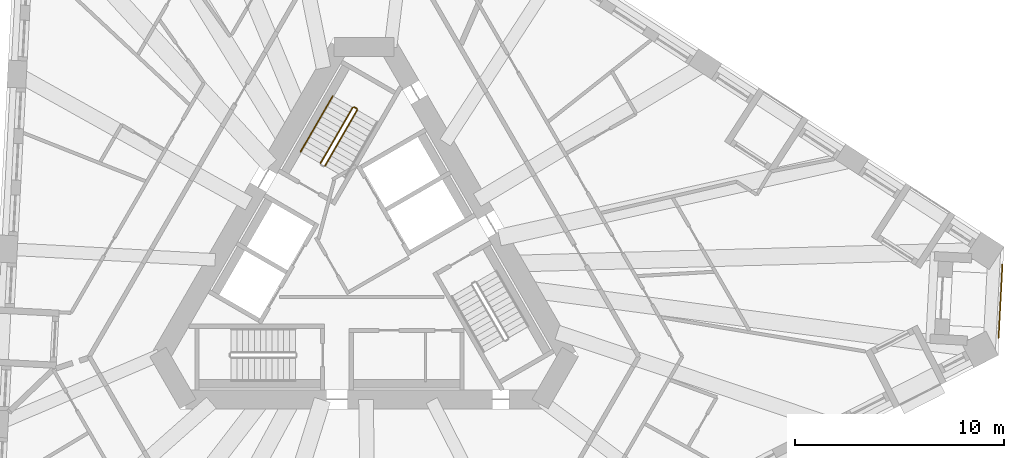
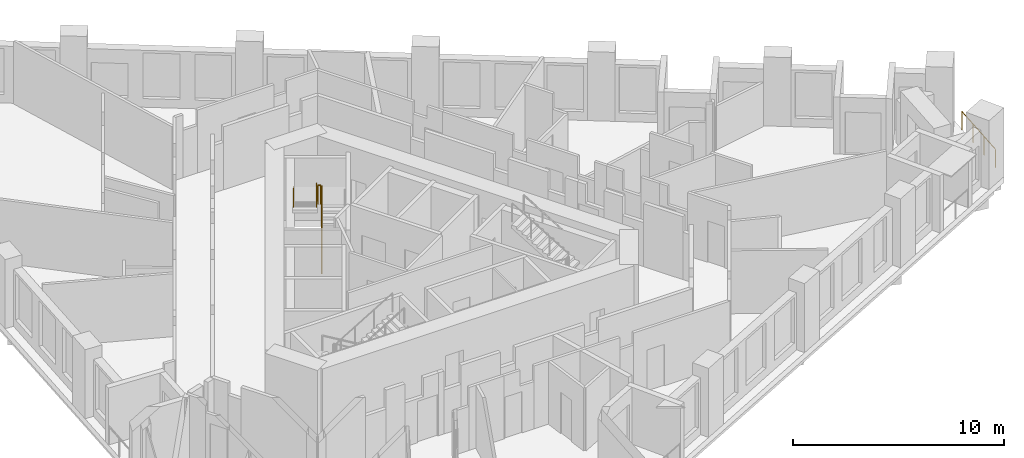
# One storey, part 12 of 13: 5 railings.
"""IFC4 building model written with IfcOpenShell, lengths in metres."""

from ifc_helpers import new_model, si_unit, direction, frame, origin, origin_2d, place, context, subcontext, project, spatial, circle, extrude, material, type_object, element, save


model = new_model("IFC4")

# Units and contexts
model_context = context("Model", 3, precision=1e-05, world=origin(), true_north=direction((0.0, 1.0)))
body_context = subcontext(model_context, "Body", "Model", "MODEL_VIEW")
ifc_project = project(units=[si_unit("LENGTHUNIT", "METRE"), si_unit("AREAUNIT", "SQUARE_METRE"), si_unit("VOLUMEUNIT", "CUBIC_METRE"), si_unit("PLANEANGLEUNIT", "RADIAN"), si_unit("MASSUNIT", "GRAM", prefix="KILO")], contexts=[model_context])

# Site, building, storey
site_placement = place(None, origin())
site = spatial("IfcSite", under=ifc_project, at=site_placement, CompositionType="ELEMENT")
building_placement = place(site_placement, origin())
building = spatial("IfcBuilding", under=site, at=building_placement, Name="Tramontana Tower", CompositionType="ELEMENT")
storey_placement = place(building_placement, frame((0.0, 0.0, 141.60009765625)))
storey = spatial("IfcBuildingStorey", under=building, at=storey_placement, Name="L32", CompositionType="ELEMENT", Elevation=141.60009765625)

# Railings
ifc_material_1 = material(Name="Laminated glass balustrade", Category="glass")
railing_type_1 = type_object("IfcRailingType", Name="GD1 Loggia glass balustrade 1100", PredefinedType="BALUSTRADE", material=ifc_material_1)
railing_1_placement = place(storey_placement, frame((30.519775390625, 0.15283203125, 0.0)))
element("IfcRailing", 1, at=railing_1_placement, inside=storey, type_object=railing_type_1, Name="Corner loggia balustrade L32 K32", PredefinedType="BALUSTRADE", context=body_context, shape_type="SweptSolid", body=[
    extrude(circle(Radius=0.02392578125, at=origin_2d()), frame((0.0, 0.0, 1.076171875), z_axis=(-0.052317189757, -0.998630518088, 0.0), x_axis=(0.998630518088, -0.052317189757, 0.0)), (0.0, 0.0, 1.0), 3.5),
    extrude(circle(Radius=0.02099609375, at=origin_2d()), origin(), (0.0, 0.0, 1.0), 1.052001953125),
    extrude(circle(Radius=0.02099609375, at=origin_2d()), frame((-0.06103515625, -1.1650390625, 0.0)), (0.0, 0.0, 1.0), 1.052001953125),
    extrude(circle(Radius=0.02099609375, at=origin_2d()), frame((-0.1220703125, -2.330078125, 0.0)), (0.0, 0.0, 1.0), 1.052001953125),
    extrude(circle(Radius=0.02099609375, at=origin_2d()), frame((-0.18310546875, -3.4951171875, 0.0)), (0.0, 0.0, 1.0), 1.052001953125),
])
ifc_material_2 = material(Name="Painted steel", Category="steel")
railing_type_2 = type_object("IfcRailingType", Name="STAIR GUARD 1100", PredefinedType="GUARDRAIL", material=ifc_material_2)
railing_2_placement = place(storey_placement, frame((-1.867431640625, 4.865478515625, 0.16650390625)))
element("IfcRailing", 2, at=railing_2_placement, inside=storey, type_object=railing_type_2, Name="L32 ST1 stair guard 1", PredefinedType="GUARDRAIL", context=body_context, shape_type="SweptSolid", body=[
    extrude(circle(Radius=0.02392578125, at=origin_2d()), frame((0.0, 0.0, 1.076171875), z_axis=(0.429634447492, 0.7441639146, 0.511502013422), x_axis=(-0.866029832698, 0.499992328818, 0.0)), (0.0, 0.0, 1.0), 3.58447265625),
    extrude(circle(Radius=0.02099609375, at=origin_2d()), origin(), (0.0, 0.0, 1.0), 1.052001953125),
    extrude(circle(Radius=0.02099609375, at=origin_2d()), frame((0.513427734375, 0.88916015625, 0.611083984375)), (0.0, 0.0, 1.0), 1.052001953125),
    extrude(circle(Radius=0.02099609375, at=origin_2d()), frame((1.026611328125, 1.7783203125, 1.222412109375)), (0.0, 0.0, 1.0), 1.052001953125),
    extrude(circle(Radius=0.02099609375, at=origin_2d()), frame((1.5400390625, 2.66748046875, 1.83349609375)), (0.0, 0.0, 1.0), 1.052001953125),
])
railing_3_placement = place(storey_placement, frame((-0.5439453125, 7.657958984375, 2.16650390625)))
element("IfcRailing", 3, at=railing_3_placement, inside=storey, type_object=railing_type_2, Name="L32 ST1 stair guard 2", PredefinedType="GUARDRAIL", context=body_context, shape_type="SweptSolid", body=[
    extrude(circle(Radius=0.02392578125, at=origin_2d()), frame((0.0, 0.0, 1.076171875), z_axis=(-0.429634447492, -0.7441639146, 0.511502013422), x_axis=(0.866029832698, -0.499992328818, 0.0)), (0.0, 0.0, 1.0), 3.58447265625),
    extrude(circle(Radius=0.02099609375, at=origin_2d()), origin(), (0.0, 0.0, 1.0), 1.052001953125),
    extrude(circle(Radius=0.02099609375, at=origin_2d()), frame((-0.513427734375, -0.88916015625, 0.611083984375)), (0.0, 0.0, 1.0), 1.052001953125),
    extrude(circle(Radius=0.02099609375, at=origin_2d()), frame((-1.026611328125, -1.7783203125, 1.222412109375)), (0.0, 0.0, 1.0), 1.052001953125),
    extrude(circle(Radius=0.02099609375, at=origin_2d()), frame((-1.5400390625, -2.66748046875, 1.83349609375)), (0.0, 0.0, 1.0), 1.052001953125),
])
railing_4_placement = place(storey_placement, frame((-0.345703125, 7.601318359375, 2.0)))
element("IfcRailing", 4, at=railing_4_placement, inside=storey, type_object=railing_type_2, Name="L32 ST1 stair guard 3", PredefinedType="GUARDRAIL", context=body_context, shape_type="SweptSolid", body=[
    extrude(circle(Radius=0.02392578125, at=origin_2d()), frame((0.0, 0.0, 1.076171875), z_axis=(-0.866131372301, 0.499816412211, 0.0), x_axis=(-0.499816412211, -0.866131372301, 0.0)), (0.0, 0.0, 1.0), 0.14990234375),
    extrude(circle(Radius=0.02099609375, at=origin_2d()), origin(), (0.0, 0.0, 1.0), 1.052001953125),
    extrude(circle(Radius=0.02099609375, at=origin_2d()), frame((-0.1298828125, 0.074951171875, 0.0)), (0.0, 0.0, 1.0), 1.052001953125),
])
ifc_material_3 = material(Name="Painted steel", Category="steel")
railing_type_3 = type_object("IfcRailingType", Name="STAIR HANDRAIL 900", PredefinedType="HANDRAIL", material=ifc_material_3)
railing_5_placement = place(storey_placement, frame((-1.49658203125, 8.2080078125, 2.16650390625)))
element("IfcRailing", 5, at=railing_5_placement, inside=storey, type_object=railing_type_3, Name="L32 ST1 stair handrail 2", PredefinedType="HANDRAIL", context=body_context, shape_type="SweptSolid", body=[
    extrude(circle(Radius=0.02392578125, at=origin_2d()), frame((0.0, 0.0, 0.8759765625), z_axis=(-0.429634447492, -0.7441639146, 0.511502013422), x_axis=(0.866029832698, -0.499992328818, 0.0)), (0.0, 0.0, 1.0), 3.58447265625),
    extrude(circle(Radius=0.02099609375, at=origin_2d()), origin(), (0.0, 0.0, 1.0), 0.851806640625),
    extrude(circle(Radius=0.02099609375, at=origin_2d()), frame((-0.513427734375, -0.88916015625, 0.611083984375)), (0.0, 0.0, 1.0), 0.851806640625),
    extrude(circle(Radius=0.02099609375, at=origin_2d()), frame((-1.026611328125, -1.7783203125, 1.222412109375)), (0.0, 0.0, 1.0), 0.851806640625),
    extrude(circle(Radius=0.02099609375, at=origin_2d()), frame((-1.5400390625, -2.66748046875, 1.83349609375)), (0.0, 0.0, 1.0), 0.851806640625),
])

save(model, "model.ifc")
